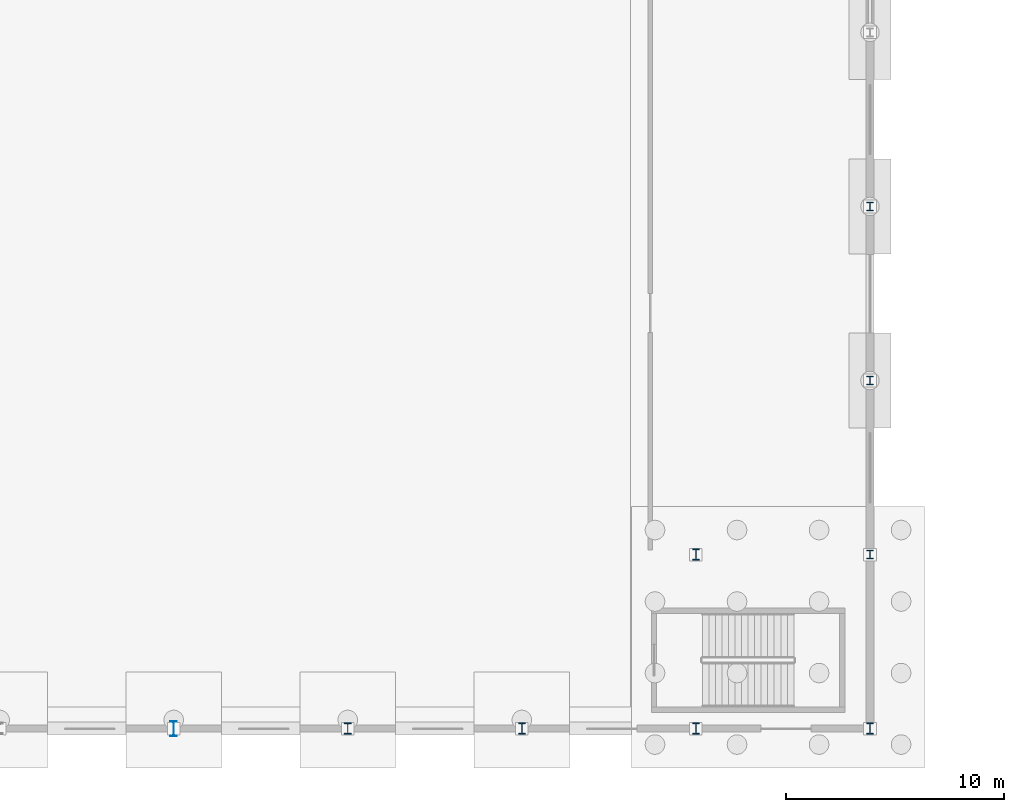
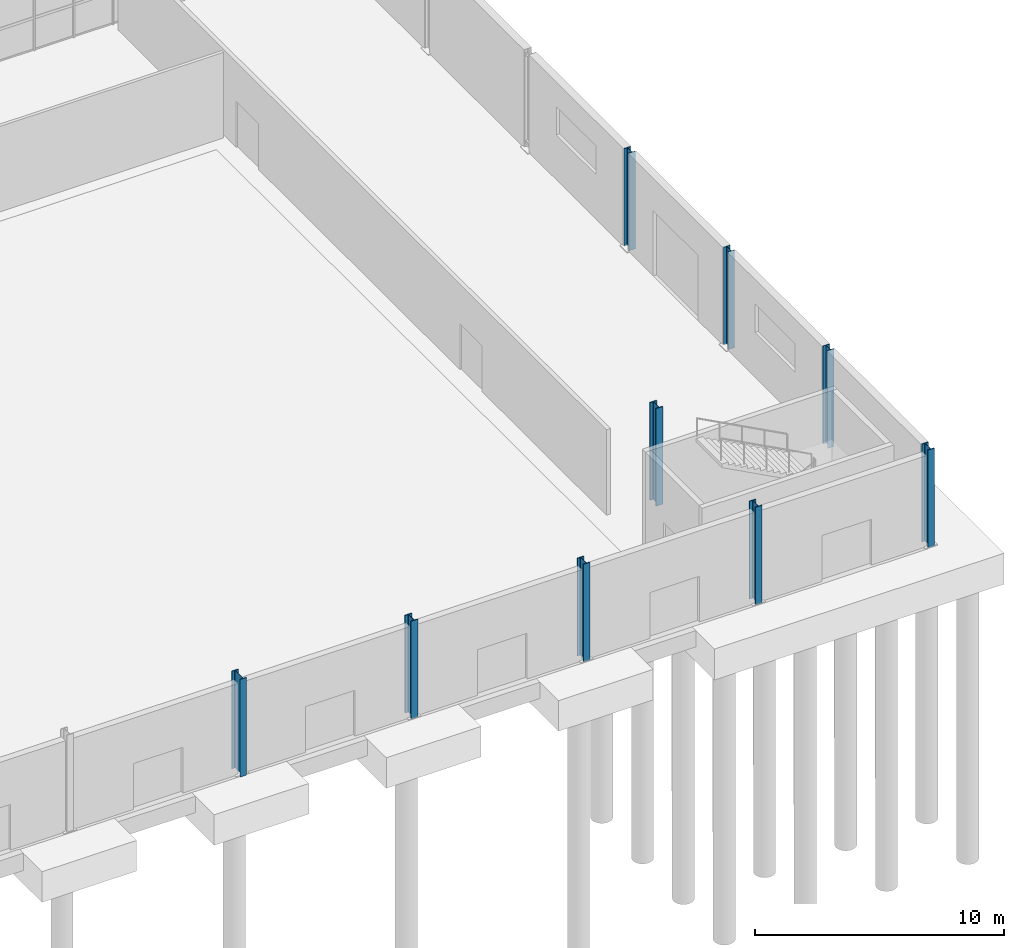
# One storey, part 24 of 101: 9 columns.
"""IFC4 building model written with IfcOpenShell, lengths in metres."""

from ifc_helpers import new_model, si_unit, derived_unit, direction, frame, origin, origin_2d, place, context, subcontext, project, spatial, i_section, extrude, material, material_profile, profile_set, type_object, element, save


model = new_model("IFC4")

# Units and contexts
model_context = context("Model", 3, precision=1e-05, world=origin(), true_north=direction((0.0, 1.0)))
body_context = subcontext(model_context, "Body", "Model", "MODEL_VIEW")
ifc_project = project(units=[si_unit("LENGTHUNIT", "METRE"), si_unit("AREAUNIT", "SQUARE_METRE"), si_unit("VOLUMEUNIT", "CUBIC_METRE"), si_unit("PLANEANGLEUNIT", "RADIAN"), si_unit("MASSUNIT", "GRAM", prefix="KILO"), derived_unit("THERMALTRANSMITTANCEUNIT", [(si_unit("POWERUNIT", "WATT"), 1), (si_unit("LENGTHUNIT", "METRE"), -2), (si_unit("THERMODYNAMICTEMPERATUREUNIT", "KELVIN"), -1)])], contexts=[model_context])

# Site, building, storey
site_placement = place(None, origin())
site = spatial("IfcSite", under=ifc_project, at=site_placement, CompositionType="ELEMENT")
building_placement = place(site_placement, origin())
building = spatial("IfcBuilding", under=site, at=building_placement, Name="Keldorne Ridge Multi-Sports Centre", CompositionType="ELEMENT")
storey_placement = place(building_placement, origin())
storey = spatial("IfcBuildingStorey", under=building, at=storey_placement, Name="L00", CompositionType="ELEMENT", Elevation=0.0)

# Columns
ifc_material = material(Name="Steel S355", Category="steel")
ifc_material_profile_1 = material_profile(ifc_material, i_section(OverallWidth=0.305908203125, OverallDepth=0.52392578125, WebThickness=0.02099609375, FlangeThickness=0.0400390625, FilletRadius=0.027099609375, at=origin_2d()), Name="HEM 500")
ifc_profile_set_1 = profile_set([ifc_material_profile_1], Name="Steel S355")
column_type_1 = type_object("IfcColumnType", Name="COL-C-04", PredefinedType="COLUMN", material=ifc_profile_set_1)
for number, where, z_axis, x_axis, name in (
    (1, (144.0, 6.0, 0.0), (0.0, 0.0, 1.0), (1.0, 0.0, 0.0), "Structural column V2-TRUSS-S-06 on L00"),
    (2, (152.0, 6.0, 0.0), (0.0, 0.0, 1.0), (1.0, 0.0, 0.0), "Structural column V2-TRUSS-S-07 on L00"),
    (3, (160.0, 6.0, 0.0), (0.0, 0.0, 1.0), (1.0, 0.0, 0.0), "Structural column V2-TRUSS-S-08 on L00"),
    (4, (168.0, 6.0, 0.0), (0.0, 0.0, 1.0), (1.0, 0.0, 0.0), "Structural column V2-TRUSS-S-09 on L00"),
    (5, (160.0, 14.0, 0.0), (0.0, 0.0, 1.0), (1.0, 0.0, 0.0), "Structural column V2-C5-ANCH on L00"),
):
    element("IfcColumn", number, at=place(storey_placement, frame(where, z_axis=z_axis, x_axis=x_axis)), inside=storey, type_object=column_type_1, Name=name, PredefinedType="COLUMN", context=body_context, shape_type="SweptSolid", body=[
        extrude(i_section(OverallWidth=0.305908203125, OverallDepth=0.52392578125, WebThickness=0.02099609375, FlangeThickness=0.0400390625, FilletRadius=0.027099609375, at=origin_2d()), origin(), (0.0, 0.0, 1.0), 4.800048828125),
    ])
ifc_material_profile_2 = material_profile(ifc_material, i_section(OverallWidth=0.300048828125, OverallDepth=0.39990234375, WebThickness=0.013427734375, FlangeThickness=0.02392578125, FilletRadius=0.027099609375, at=origin_2d()), Name="HEB 400")
ifc_profile_set_2 = profile_set([ifc_material_profile_2], Name="Steel S355")
column_type_2 = type_object("IfcColumnType", Name="COL-C-09", PredefinedType="COLUMN", material=ifc_profile_set_2)
for number, where, z_axis, x_axis, name in (
    (6, (168.0, 14.0, 0.0), (0.0, 0.0, 1.0), (1.0, 0.0, 0.0), "Structural column V2-GABLE-E-01 on L00"),
    (7, (168.0, 22.0, 0.0), (0.0, 0.0, 1.0), (1.0, 0.0, 0.0), "Structural column V2-GABLE-E-02 on L00"),
    (8, (168.0, 30.0, 0.0), (0.0, 0.0, 1.0), (1.0, 0.0, 0.0), "Structural column V2-GABLE-E-03 on L00"),
):
    element("IfcColumn", number, at=place(storey_placement, frame(where, z_axis=z_axis, x_axis=x_axis)), inside=storey, type_object=column_type_2, Name=name, PredefinedType="COLUMN", context=body_context, shape_type="SweptSolid", body=[
        extrude(i_section(OverallWidth=0.300048828125, OverallDepth=0.39990234375, WebThickness=0.013427734375, FlangeThickness=0.02392578125, FilletRadius=0.027099609375, at=origin_2d()), origin(), (0.0, 0.0, 1.0), 4.800048828125),
    ])
ifc_material_profile_3 = material_profile(ifc_material, i_section(OverallWidth=0.300048828125, OverallDepth=0.699951171875, WebThickness=0.01708984375, FlangeThickness=0.031982421875, FilletRadius=0.027099609375, at=origin_2d()), Name="HEB 700")
ifc_profile_set_3 = profile_set([ifc_material_profile_3], Name="Steel S355")
column_type_3 = type_object("IfcColumnType", Name="COL-C-39", PredefinedType="COLUMN", material=ifc_profile_set_3)
column_placement = place(storey_placement, frame((136.0, 6.0, 0.0), z_axis=(0.0, 0.0, 1.0), x_axis=(1.0, 0.0, 0.0)))
element("IfcColumn", 9, at=column_placement, inside=storey, type_object=column_type_3, Name="Structural column V2-TRUSS-S-05 on L00", PredefinedType="COLUMN", context=body_context, shape_type="SweptSolid", body=[
    extrude(i_section(OverallWidth=0.300048828125, OverallDepth=0.699951171875, WebThickness=0.01708984375, FlangeThickness=0.031982421875, FilletRadius=0.027099609375, at=origin_2d()), origin(), (0.0, 0.0, 1.0), 4.800048828125),
])

save(model, "model.ifc")
